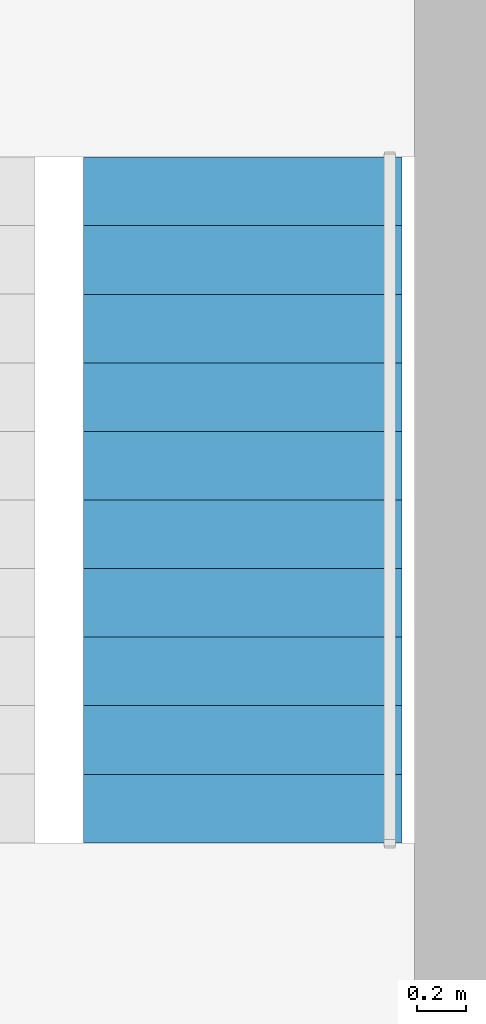
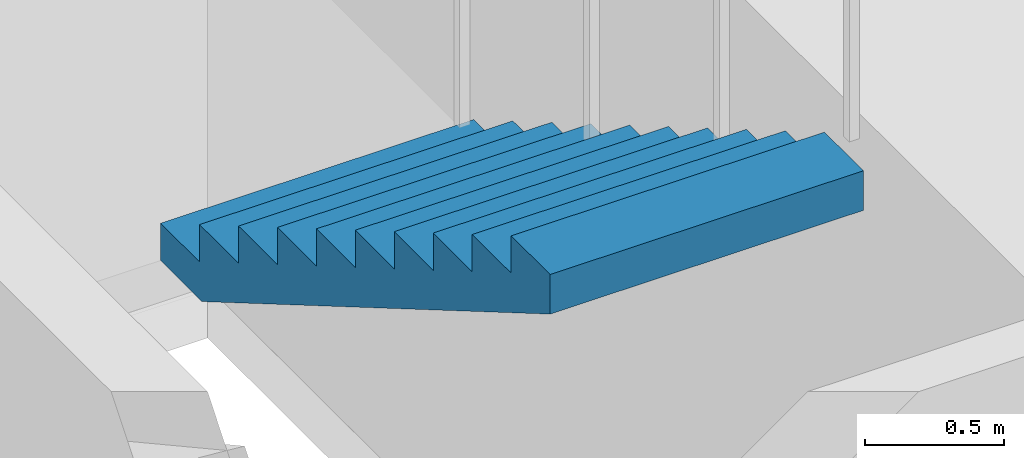
# One storey, part 12 of 13: 1 stair flight, 1 element without a shape of its own.
"""IFC4 building model written with IfcOpenShell, lengths in metres."""

from ifc_helpers import new_model, si_unit, direction, frame, origin, place, context, subcontext, project, spatial, polyline, outline, extrude, material, type_object, element, aggregate, save


model = new_model("IFC4")

# Units and contexts
model_context = context("Model", 3, precision=1e-05, world=origin(), true_north=direction((0.0, 1.0)))
body_context = subcontext(model_context, "Body", "Model", "MODEL_VIEW")
ifc_project = project(units=[si_unit("LENGTHUNIT", "METRE"), si_unit("AREAUNIT", "SQUARE_METRE"), si_unit("VOLUMEUNIT", "CUBIC_METRE"), si_unit("PLANEANGLEUNIT", "RADIAN"), si_unit("MASSUNIT", "GRAM", prefix="KILO")], contexts=[model_context])

# Site, building, storey
site_placement = place(None, origin())
site = spatial("IfcSite", under=ifc_project, at=site_placement, CompositionType="ELEMENT")
building_placement = place(site_placement, origin())
building = spatial("IfcBuilding", under=site, at=building_placement, Name="Nyansa Garden Tower", CompositionType="ELEMENT")
storey_placement = place(building_placement, frame((0.0, 0.0, 105.300048828125)))
storey = spatial("IfcBuildingStorey", under=building, at=storey_placement, Name="L28", CompositionType="ELEMENT", Elevation=105.300048828125)

# Stair, stair flight
ifc_material_1 = material(Name="Precast concrete C40/50", Category="concrete")
stair_type = type_object("IfcStairType", Name="Stair S2 164x280", PredefinedType="HALF_TURN_STAIR", material=ifc_material_1)
stair_placement = place(storey_placement, origin())
stair = element("IfcStair", 1, at=stair_placement, inside=storey, type_object=stair_type, Name="Stair S2 L28", PredefinedType="HALF_TURN_STAIR")
ifc_material_2 = material(Name="Precast concrete C40/50", Category="concrete")
stair_flight_type = type_object("IfcStairFlightType", Name="Stair flight S2 164x280x11", PredefinedType="STRAIGHT", material=ifc_material_2)
stair_flight_placement = place(storey_placement, frame((25.699951171875, 24.39990234375, 1.800048828125), z_axis=(0.0, 0.0, 1.0), x_axis=(0.0, -1.0, 0.0)))
stair_flight = element("IfcStairFlight", 2, at=stair_flight_placement, type_object=stair_flight_type, Name="S2 flight 2", NumberOfRisers=11, NumberOfTreads=10, PredefinedType="STRAIGHT", RiserHeight=0.163636364, TreadLength=0.28, context=body_context, shape_type="SweptSolid", body=[
    extrude(outline(polyline([(0.0, 0.0), (0.0, 0.16357421875), (0.280029296875, 0.16357421875), (0.280029296875, 0.327392578125), (0.56005859375, 0.327392578125), (0.56005859375, 0.490966796875), (0.840087890625, 0.490966796875), (0.840087890625, 0.654541015625), (1.1201171875, 0.654541015625), (1.1201171875, 0.818115234375), (1.39990234375, 0.818115234375), (1.39990234375, 0.98193359375), (1.679931640625, 0.98193359375), (1.679931640625, 1.1455078125), (1.9599609375, 1.1455078125), (1.9599609375, 1.30908203125), (2.239990234375, 1.30908203125), (2.239990234375, 1.47265625), (2.52001953125, 1.47265625), (2.52001953125, 1.636474609375), (2.800048828125, 1.636474609375), (2.800048828125, 1.800048828125), (2.800048828125, 1.462646484375), (0.297119140625, 0.0), (0.0, 0.0)])), frame((0.0, 0.64990234375, 0.0), z_axis=(0.0, -1.0, 0.0), x_axis=(1.0, 0.0, 0.0)), (0.0, 0.0, 1.0), 1.300048828125),
])
aggregate(stair, [stair_flight])

save(model, "model.ifc")
